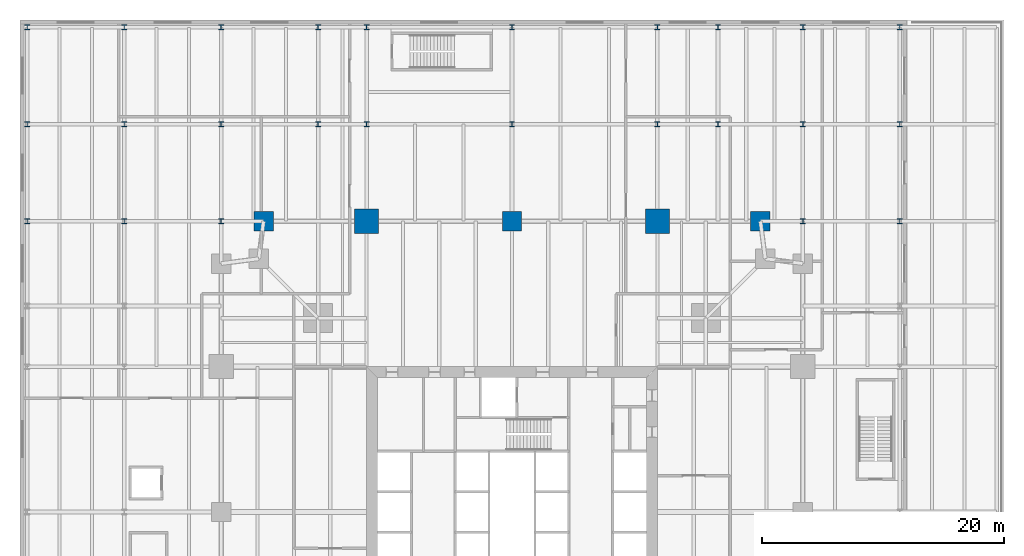
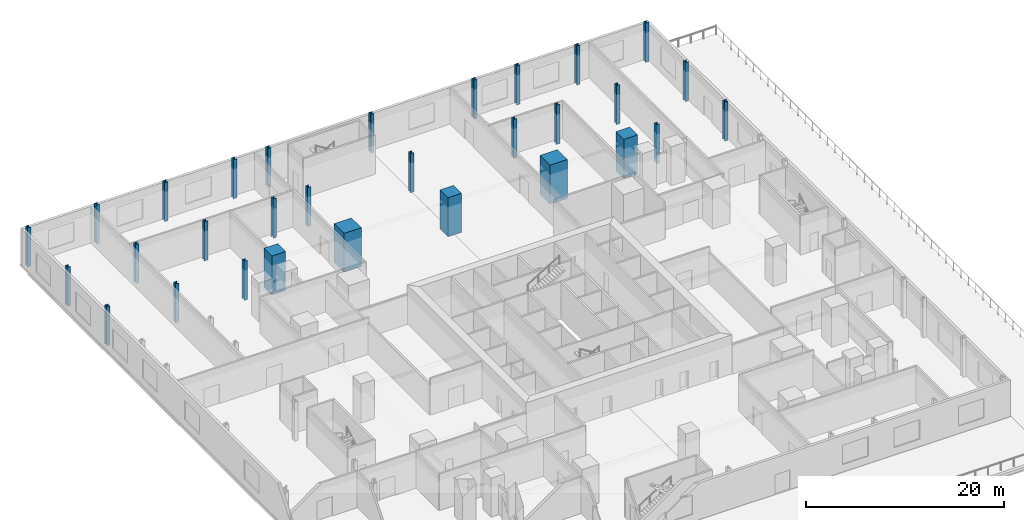
# One storey, part 4 of 18: 30 columns.
"""IFC4 building model written with IfcOpenShell, lengths in metres."""

from ifc_helpers import new_model, si_unit, direction, frame, origin, origin_2d, place, context, subcontext, project, spatial, rectangle, i_section, extrude, material, material_profile, profile_set, type_object, element, save


model = new_model("IFC4")

# Units and contexts
model_context = context("Model", 3, precision=1e-05, world=origin(), true_north=direction((0.0, 1.0)))
body_context = subcontext(model_context, "Body", "Model", "MODEL_VIEW")
ifc_project = project(units=[si_unit("LENGTHUNIT", "METRE"), si_unit("AREAUNIT", "SQUARE_METRE"), si_unit("VOLUMEUNIT", "CUBIC_METRE"), si_unit("PLANEANGLEUNIT", "RADIAN"), si_unit("MASSUNIT", "GRAM", prefix="KILO")], contexts=[model_context])

# Site, building, storey
site_placement = place(None, origin())
site = spatial("IfcSite", under=ifc_project, at=site_placement, CompositionType="ELEMENT")
building_placement = place(site_placement, origin())
building = spatial("IfcBuilding", under=site, at=building_placement, Name="Fenwick Lantern Interchange", CompositionType="ELEMENT")
storey_placement = place(building_placement, frame((0.0, 0.0, 11.800048828125)))
storey = spatial("IfcBuildingStorey", under=building, at=storey_placement, Name="L02", CompositionType="ELEMENT", Elevation=11.800048828125)

# Columns
ifc_material_1 = material(Name="Concrete f'c 70 MPa", Category="concrete")
ifc_material_profile_1 = material_profile(ifc_material_1, rectangle(XDim=1.60009765625, YDim=1.60009765625, at=origin_2d()), Name="RC1600X1600")
ifc_profile_set_1 = profile_set([ifc_material_profile_1], Name="Concrete f'c 70 MPa")
column_type_1 = type_object("IfcColumnType", Name="PERIMETER COLUMN RC1600X1600", PredefinedType="COLUMN", material=ifc_profile_set_1)
for number, where, z_axis, x_axis, name in (
    (1, (45.5, 49.0, 0.0), (0.0, 0.0, 1.0), (1.0, 0.0, 0.0), "L02/CN1"),
    (2, (25.0, 49.0, 0.0), (0.0, 0.0, 1.0), (1.0, 0.0, 0.0), "L02/CN3"),
    (3, (4.5, 49.0, 0.0), (0.0, 0.0, 1.0), (1.0, 0.0, 0.0), "L02/CN5"),
):
    element("IfcColumn", number, at=place(storey_placement, frame(where, z_axis=z_axis, x_axis=x_axis)), inside=storey, type_object=column_type_1, Name=name, PredefinedType="COLUMN", context=body_context, shape_type="SweptSolid", body=[
        extrude(rectangle(XDim=1.60009765625, YDim=1.60009765625, at=origin_2d()), origin(), (0.0, 0.0, 1.0), 4.800048828125),
    ])
ifc_material_profile_2 = material_profile(ifc_material_1, rectangle(XDim=2.0, YDim=2.0, at=origin_2d()), Name="RC2000X2000")
ifc_profile_set_2 = profile_set([ifc_material_profile_2], Name="Concrete f'c 70 MPa")
column_type_2 = type_object("IfcColumnType", Name="PERIMETER COLUMN RC2000X2000", PredefinedType="COLUMN", material=ifc_profile_set_2)
for number, where, z_axis, x_axis, name in (
    (4, (37.0, 49.0, 0.0), (0.0, 0.0, 1.0), (1.0, 0.0, 0.0), "L02/CN2"),
    (5, (13.0, 49.0, 0.0), (0.0, 0.0, 1.0), (1.0, 0.0, 0.0), "L02/CN4"),
):
    element("IfcColumn", number, at=place(storey_placement, frame(where, z_axis=z_axis, x_axis=x_axis)), inside=storey, type_object=column_type_2, Name=name, PredefinedType="COLUMN", context=body_context, shape_type="SweptSolid", body=[
        extrude(rectangle(XDim=2.0, YDim=2.0, at=origin_2d()), origin(), (0.0, 0.0, 1.0), 4.800048828125),
    ])
ifc_material_2 = material(Name="Steel ASTM A992 Grade 50", Category="steel")
ifc_material_profile_3 = material_profile(ifc_material_2, i_section(OverallWidth=0.406494140625, OverallDepth=0.41650390625, WebThickness=0.030029296875, FlangeThickness=0.048095703125, at=origin_2d()), Name="W14X257")
ifc_profile_set_3 = profile_set([ifc_material_profile_3], Name="Steel ASTM A992 Grade 50")
column_type_3 = type_object("IfcColumnType", Name="PODIUM COLUMN W14X257", PredefinedType="COLUMN", material=ifc_profile_set_3)
for number, where, z_axis, x_axis, name in (
    (6, (-15.0, 49.0, 0.0), (0.0, 0.0, 1.0), (1.0, 0.0, 0.0), "L02/PJ1"),
    (7, (-15.0, 57.0, 0.0), (0.0, 0.0, 1.0), (1.0, 0.0, 0.0), "L02/PK1"),
    (8, (-15.0, 65.0, 0.0), (0.0, 0.0, 1.0), (1.0, 0.0, 0.0), "L02/PL1"),
    (9, (-7.0, 49.0, 0.0), (0.0, 0.0, 1.0), (1.0, 0.0, 0.0), "L02/PJ2"),
    (10, (-7.0, 57.0, 0.0), (0.0, 0.0, 1.0), (1.0, 0.0, 0.0), "L02/PK2"),
    (11, (-7.0, 65.0, 0.0), (0.0, 0.0, 1.0), (1.0, 0.0, 0.0), "L02/PL2"),
    (12, (1.0, 49.0, 0.0), (0.0, 0.0, 1.0), (1.0, 0.0, 0.0), "L02/PJ3"),
    (13, (1.0, 57.0, 0.0), (0.0, 0.0, 1.0), (1.0, 0.0, 0.0), "L02/PK3"),
    (14, (1.0, 65.0, 0.0), (0.0, 0.0, 1.0), (1.0, 0.0, 0.0), "L02/PL3"),
    (15, (9.0, 57.0, 0.0), (0.0, 0.0, 1.0), (1.0, 0.0, 0.0), "L02/PK4"),
    (16, (9.0, 65.0, 0.0), (0.0, 0.0, 1.0), (1.0, 0.0, 0.0), "L02/PL4"),
    (17, (13.0, 57.0, 0.0), (0.0, 0.0, 1.0), (1.0, 0.0, 0.0), "L02/PK5"),
    (18, (13.0, 65.0, 0.0), (0.0, 0.0, 1.0), (1.0, 0.0, 0.0), "L02/PL5"),
    (19, (25.0, 57.0, 0.0), (0.0, 0.0, 1.0), (1.0, 0.0, 0.0), "L02/PK6"),
    (20, (25.0, 65.0, 0.0), (0.0, 0.0, 1.0), (1.0, 0.0, 0.0), "L02/PL6"),
    (21, (37.0, 57.0, 0.0), (0.0, 0.0, 1.0), (1.0, 0.0, 0.0), "L02/PK7"),
    (22, (37.0, 65.0, 0.0), (0.0, 0.0, 1.0), (1.0, 0.0, 0.0), "L02/PL7"),
    (23, (42.0, 57.0, 0.0), (0.0, 0.0, 1.0), (1.0, 0.0, 0.0), "L02/PK8"),
    (24, (42.0, 65.0, 0.0), (0.0, 0.0, 1.0), (1.0, 0.0, 0.0), "L02/PL8"),
    (25, (49.0, 49.0, 0.0), (0.0, 0.0, 1.0), (1.0, 0.0, 0.0), "L02/PJ9"),
    (26, (49.0, 57.0, 0.0), (0.0, 0.0, 1.0), (1.0, 0.0, 0.0), "L02/PK9"),
    (27, (49.0, 65.0, 0.0), (0.0, 0.0, 1.0), (1.0, 0.0, 0.0), "L02/PL9"),
    (28, (57.0, 49.0, 0.0), (0.0, 0.0, 1.0), (1.0, 0.0, 0.0), "L02/PJ10"),
    (29, (57.0, 57.0, 0.0), (0.0, 0.0, 1.0), (1.0, 0.0, 0.0), "L02/PK10"),
    (30, (57.0, 65.0, 0.0), (0.0, 0.0, 1.0), (1.0, 0.0, 0.0), "L02/PL10"),
):
    element("IfcColumn", number, at=place(storey_placement, frame(where, z_axis=z_axis, x_axis=x_axis)), inside=storey, type_object=column_type_3, Name=name, PredefinedType="COLUMN", context=body_context, shape_type="SweptSolid", body=[
        extrude(i_section(OverallWidth=0.406494140625, OverallDepth=0.41650390625, WebThickness=0.030029296875, FlangeThickness=0.048095703125, at=origin_2d()), origin(), (0.0, 0.0, 1.0), 4.800048828125),
    ])

save(model, "model.ifc")
